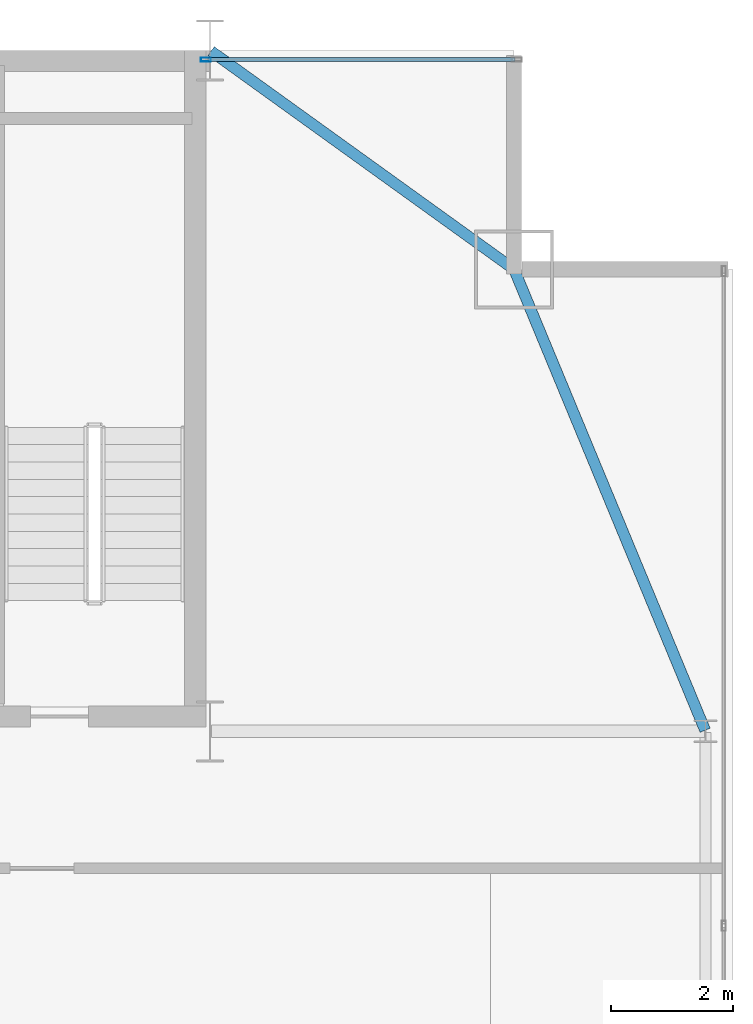
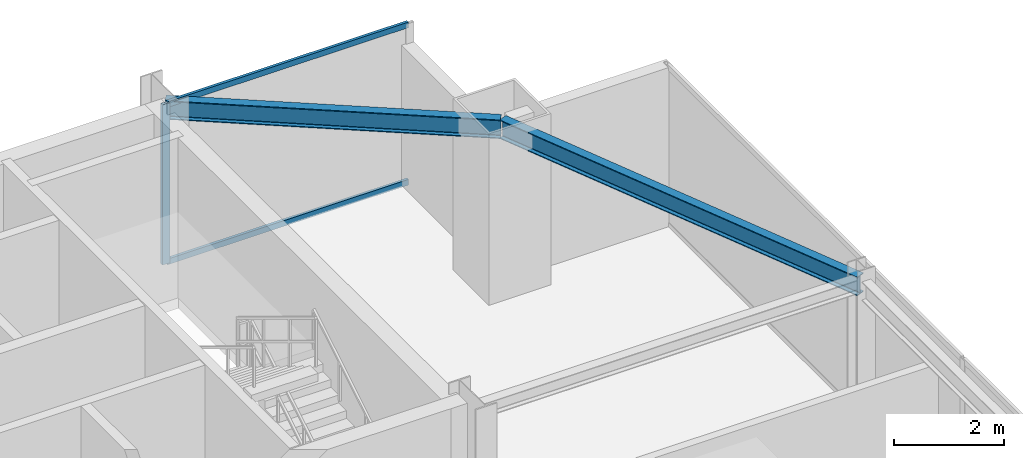
# One storey, part 22 of 32: 3 members, 2 beams, 1 element without a shape of its own.
"""IFC4 building model written with IfcOpenShell, lengths in metres."""

from ifc_helpers import new_model, si_unit, direction, frame, origin, origin_2d, place, context, subcontext, project, spatial, hollow_rectangle, i_section, extrude, source, transform, mapped, material, layer, layer_set, material_profile, profile_set, type_object, type_shapes, element, aggregate, save


model = new_model("IFC4")

# Units and contexts
model_context = context("Model", 3, precision=1e-05, world=origin(), true_north=direction((0.0, 1.0)))
body_context = subcontext(model_context, "Body", "Model", "MODEL_VIEW")
ifc_project = project(units=[si_unit("LENGTHUNIT", "METRE"), si_unit("AREAUNIT", "SQUARE_METRE"), si_unit("VOLUMEUNIT", "CUBIC_METRE"), si_unit("PLANEANGLEUNIT", "RADIAN"), si_unit("MASSUNIT", "GRAM", prefix="KILO")], contexts=[model_context])

# Site, building, storey
site_placement = place(None, origin())
site = spatial("IfcSite", under=ifc_project, at=site_placement, CompositionType="ELEMENT")
building_placement = place(site_placement, origin())
building = spatial("IfcBuilding", under=site, at=building_placement, Name="Varnel Quay Broadcast Tower", CompositionType="ELEMENT")
storey_placement = place(building_placement, frame((0.0, 0.0, 164.800048828125)))
storey = spatial("IfcBuildingStorey", under=building, at=storey_placement, Name="L40", CompositionType="ELEMENT", Elevation=164.800048828125)

# Beams
ifc_material_1 = material(Name="Structural Steel CSA G40.21 350W", Category="steel")
ifc_material_profile_1 = material_profile(ifc_material_1, i_section(OverallWidth=0.180908203125, OverallDepth=0.4169921875, WebThickness=0.010986328125, FlangeThickness=0.018310546875, FilletRadius=0.011962890625, at=origin_2d()), Name="W410X85")
ifc_profile_set_1 = profile_set([ifc_material_profile_1], Name="Structural Steel CSA G40.21 350W")
beam_type = type_object("IfcBeamType", Name="Beam_W410X85", PredefinedType="SPANDREL", material=ifc_profile_set_1)
shared_shape_1 = source(origin(), body_context, "Body", "SweptSolid", [
    extrude(i_section(OverallWidth=0.180908203125, OverallDepth=0.4169921875, WebThickness=0.010986328125, FlangeThickness=0.018310546875, FilletRadius=0.011962890625, at=origin_2d()), origin(), (0.0, 0.0, 1.0), 8.186767578125),
])
beam_1_placement = place(storey_placement, frame((60.542236328125, 35.618408203125, 3.341552734375), z_axis=(-0.382874132092, 0.923800519038, 0.0), x_axis=(-0.923800519038, -0.382874132092, 0.0)))
element("IfcBeam", 1, at=beam_1_placement, inside=storey, type_object=beam_type, Name="L40 East Spandrel TC-E3-MC-NE", PredefinedType="SPANDREL", context=body_context, shape_type="MappedRepresentation", body=[
    mapped(shared_shape_1, transform((0.0, 0.0, 0.0), x_axis=(1.0, 0.0, 0.0), y_axis=(0.0, 1.0, 0.0), z_axis=(0.0, 0.0, 1.0), scale=1.0)),
])
shared_shape_2 = source(origin(), body_context, "Body", "SweptSolid", [
    extrude(i_section(OverallWidth=0.180908203125, OverallDepth=0.4169921875, WebThickness=0.010986328125, FlangeThickness=0.018310546875, FilletRadius=0.011962890625, at=origin_2d()), origin(), (0.0, 0.0, 1.0), 6.12109375),
])
type_shapes(beam_type, [shared_shape_1, shared_shape_2])
beam_2_placement = place(storey_placement, frame((52.416259765625, 46.788330078125, 3.341552734375), z_axis=(0.811531315425, -0.584308928637, 0.0), x_axis=(0.584308928637, 0.811531315425, 0.0)))
element("IfcBeam", 2, at=beam_2_placement, inside=storey, type_object=beam_type, Name="L40 NE Tie Spandrel", PredefinedType="SPANDREL", context=body_context, shape_type="MappedRepresentation", body=[
    mapped(shared_shape_2, transform((0.0, 0.0, 0.0), x_axis=(1.0, 0.0, 0.0), y_axis=(0.0, 1.0, 0.0), z_axis=(0.0, 0.0, 1.0), scale=1.0)),
])

# Curtain wall, members
ifc_material_2 = material(Name="Anodised Bronze Aluminium 6063-T6", Category="aluminium")
ifc_layer = layer(ifc_material_2, 0.18994140625, Name="Anodised Bronze Aluminium 6063-T6")
ifc_layer_set = layer_set([ifc_layer], Name="Anodised Bronze Aluminium 6063-T6")
curtain_wall_type = type_object("IfcCurtainWallType", Name="CW_UpperTower", PredefinedType="NOTDEFINED", material=ifc_layer_set)
curtain_wall_placement = place(storey_placement, origin())
curtain_wall = element("IfcCurtainWall", 3, at=curtain_wall_placement, inside=storey, type_object=curtain_wall_type, Name="L40 NE Wing Curtain Wall", PredefinedType="NOTDEFINED")
ifc_material_profile_2 = material_profile(ifc_material_2, hollow_rectangle(XDim=0.06494140625, YDim=0.1650390625, WallThickness=0.00341796875, at=origin_2d()), Name="ALU65X165X3.5")
ifc_profile_set_2 = profile_set([ifc_material_profile_2], Name="Anodised Bronze Aluminium 6063-T6")
member_type_1 = type_object("IfcMemberType", Name="Mull_CWS-03", PredefinedType="MULLION", material=ifc_profile_set_2)
shared_shape_3 = source(origin(), body_context, "Body", "SweptSolid", [
    extrude(hollow_rectangle(XDim=0.06494140625, YDim=0.1650390625, WallThickness=0.00341796875, at=origin_2d()), origin(), (0.0, 0.0, 1.0), 3.550048828125),
])
type_shapes(member_type_1, [shared_shape_3])
member_1_placement = place(storey_placement, frame((52.33251953125, 46.64990234375, 0.0), z_axis=(0.0, 0.0, 1.0), x_axis=(0.0, 1.0, 0.0)))
member_1 = element("IfcMember", 4, at=member_1_placement, type_object=member_type_1, Name="CWS-03 mullion 1", PredefinedType="MULLION", context=body_context, shape_type="MappedRepresentation", body=[
    mapped(shared_shape_3, transform((0.0, 0.0, 0.0), x_axis=(1.0, 0.0, 0.0), y_axis=(0.0, 1.0, 0.0), z_axis=(0.0, 0.0, 1.0), scale=1.0)),
])
ifc_material_profile_3 = material_profile(ifc_material_2, hollow_rectangle(XDim=0.06005859375, YDim=0.125, WallThickness=0.0029296875, at=origin_2d()), Name="ALU60X125X3")
ifc_profile_set_3 = profile_set([ifc_material_profile_3], Name="Anodised Bronze Aluminium 6063-T6")
member_type_2 = type_object("IfcMemberType", Name="Tran_CWS-03", PredefinedType="USERDEFINED", material=ifc_profile_set_3)
shared_shape_4 = source(origin(), body_context, "Body", "SweptSolid", [
    extrude(hollow_rectangle(XDim=0.06005859375, YDim=0.125, WallThickness=0.0029296875, at=origin_2d()), origin(), (0.0, 0.0, 1.0), 5.050048828125),
])
type_shapes(member_type_2, [shared_shape_4])
member_2_placement = place(storey_placement, frame((52.364990234375, 46.64990234375, 0.030029296875), z_axis=(1.0, 0.0, 0.0), x_axis=(0.0, 1.0, 0.0)))
member_2 = element("IfcMember", 5, at=member_2_placement, type_object=member_type_2, Name="CWS-03 transom 1.1", ObjectType="TRANSOM", PredefinedType="USERDEFINED", context=body_context, shape_type="MappedRepresentation", body=[
    mapped(shared_shape_4, transform((0.0, 0.0, 0.0), x_axis=(1.0, 0.0, 0.0), y_axis=(0.0, 1.0, 0.0), z_axis=(0.0, 0.0, 1.0), scale=1.0)),
])
member_3_placement = place(storey_placement, frame((52.364990234375, 46.64990234375, 3.52001953125), z_axis=(1.0, 0.0, 0.0), x_axis=(0.0, 1.0, 0.0)))
member_3 = element("IfcMember", 6, at=member_3_placement, type_object=member_type_2, Name="CWS-03 transom 1.2", ObjectType="TRANSOM", PredefinedType="USERDEFINED", context=body_context, shape_type="MappedRepresentation", body=[
    mapped(shared_shape_4, transform((0.0, 0.0, 0.0), x_axis=(1.0, 0.0, 0.0), y_axis=(0.0, 1.0, 0.0), z_axis=(0.0, 0.0, 1.0), scale=1.0)),
])
aggregate(curtain_wall, [member_1, member_2, member_3])

save(model, "model.ifc")
